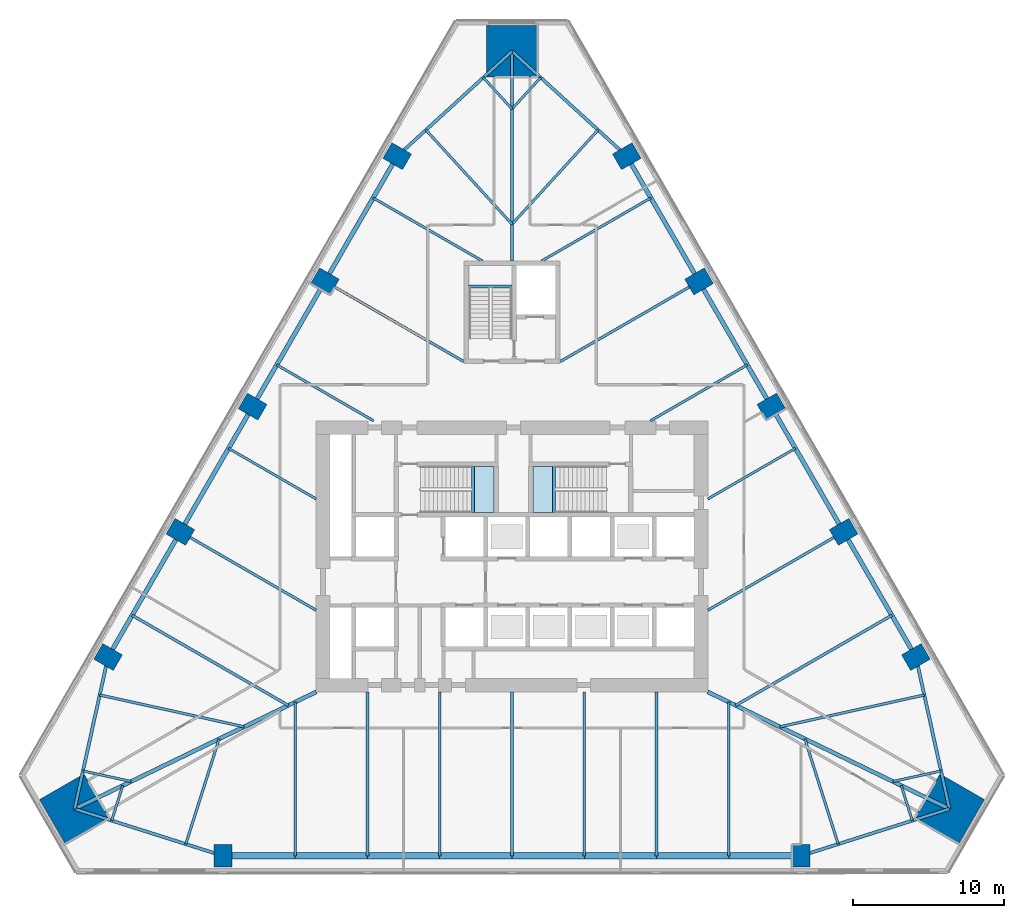
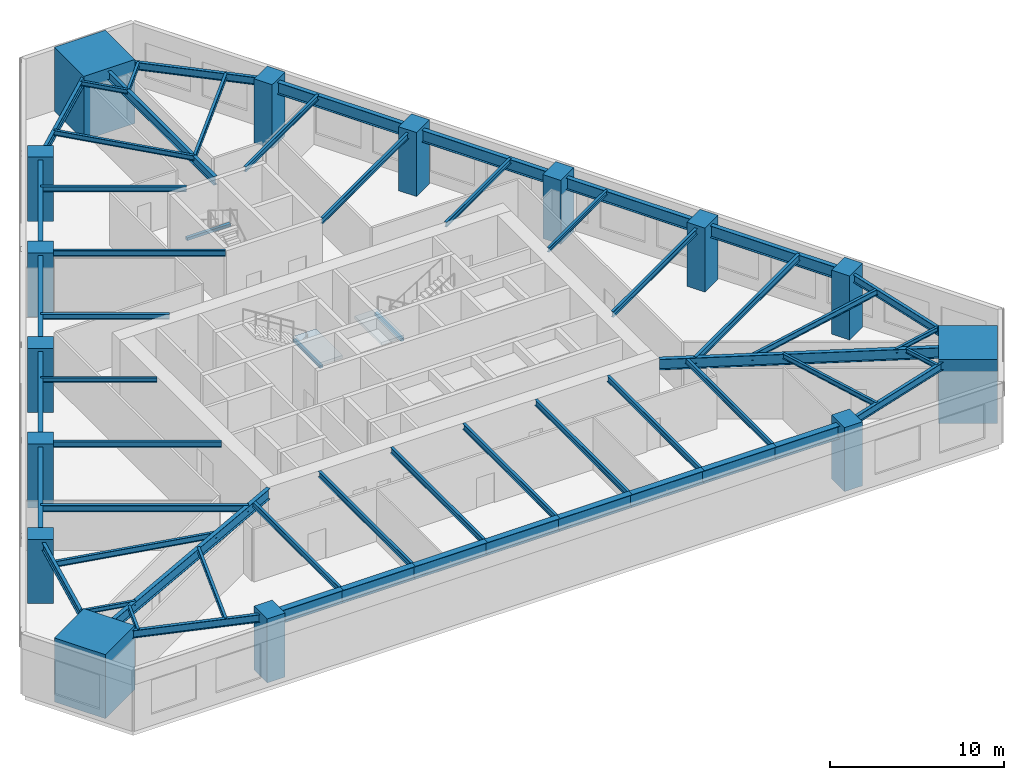
# One storey, part 1 of 14: 47 beams, 15 columns, 8 members, 2 slabs, 2 elements without a shape of their own.
"""IFC4 building model written with IfcOpenShell, lengths in metres."""

from ifc_helpers import new_model, si_unit, direction, frame, origin, origin_2d, place, context, subcontext, project, spatial, polyline, rectangle, i_section, outline, extrude, material, layer, layer_set, material_profile, profile_set, type_object, element, aggregate, save


model = new_model("IFC4")

# Units and contexts
model_context = context("Model", 3, precision=1e-05, world=origin(), true_north=direction((0.0, 1.0)))
body_context = subcontext(model_context, "Body", "Model", "MODEL_VIEW")
ifc_project = project(units=[si_unit("LENGTHUNIT", "METRE"), si_unit("AREAUNIT", "SQUARE_METRE"), si_unit("VOLUMEUNIT", "CUBIC_METRE"), si_unit("PLANEANGLEUNIT", "RADIAN"), si_unit("MASSUNIT", "GRAM", prefix="KILO")], contexts=[model_context])

# Site, building, storey
site_placement = place(None, origin())
site = spatial("IfcSite", under=ifc_project, at=site_placement, CompositionType="ELEMENT")
building_placement = place(site_placement, origin())
building = spatial("IfcBuilding", under=site, at=building_placement, Name="Firuza Gate Tower and Library", CompositionType="ELEMENT")
storey_placement = place(building_placement, frame((0.0, 0.0, 35.5)))
storey = spatial("IfcBuildingStorey", under=building, at=storey_placement, Name="L07", CompositionType="ELEMENT", Elevation=35.5)

# Columns
ifc_material_1 = material(Name="Concrete C80/95", Category="concrete")
ifc_material_profile_1 = material_profile(ifc_material_1, rectangle(XDim=3.39990234375, YDim=3.39990234375, at=origin_2d()))
ifc_profile_set_1 = profile_set([ifc_material_profile_1], Name="Concrete C80/95")
column_type_1 = type_object("IfcColumnType", Name="Mega column 3400x3400 C80/95", PredefinedType="COLUMN", material=ifc_profile_set_1)
for number, where, z_axis, x_axis, name in (
    (1, (104.041259765625, 58.233154296875, 0.0), (0.0, 0.0, 1.0), (0.5, 0.866025403784, 0.0), "Mega column SE L07"),
    (2, (75.0, 108.533935546875, 0.0), (0.0, 0.0, 1.0), (-1.0, 0.0, 0.0), "Mega column N L07"),
    (3, (45.958740234375, 58.233154296875, 0.0), (0.0, 0.0, 1.0), (0.5, -0.866025403784, 0.0), "Mega column SW L07"),
):
    element("IfcColumn", number, at=place(storey_placement, frame(where, z_axis=z_axis, x_axis=x_axis)), inside=storey, type_object=column_type_1, Name=name, PredefinedType="COLUMN", context=body_context, shape_type="SweptSolid", body=[
        extrude(rectangle(XDim=3.39990234375, YDim=3.39990234375, at=origin_2d()), origin(), (0.0, 0.0, 1.0), 4.5),
    ])
ifc_material_2 = material(Name="Concrete C60/75", Category="concrete")
ifc_material_profile_2 = material_profile(ifc_material_2, rectangle(XDim=1.199951171875, YDim=1.5, at=origin_2d()))
ifc_profile_set_2 = profile_set([ifc_material_profile_2], Name="Concrete C60/75")
column_type_2 = type_object("IfcColumnType", Name="Perimeter column 1200x1500 C60/75", PredefinedType="COLUMN", material=ifc_profile_set_2)
for number, where, z_axis, x_axis, name in (
    (4, (55.800048828125, 55.115478515625, -0.00048828125), (0.0, 0.0, 1.0), (1.0, 0.0, 0.0), "Column S1 L07"),
    (5, (94.199951171875, 55.115478515625, -0.00048828125), (0.0, 0.0, 1.0), (1.0, 0.0, 0.0), "Column S5 L07"),
    (6, (101.820556640625, 68.314697265625, -0.00048828125), (0.0, 0.0, 1.0), (-0.5, 0.866025403784, 0.0), "Column E1 L07"),
    (7, (97.0205078125, 76.62841796875, -0.00048828125), (0.0, 0.0, 1.0), (-0.5, 0.866025403784, 0.0), "Column E2 L07"),
    (8, (92.220458984375, 84.9423828125, -0.00048828125), (0.0, 0.0, 1.0), (-0.5, 0.866025403784, 0.0), "Column E3 L07"),
    (9, (87.420654296875, 93.256103515625, -0.00048828125), (0.0, 0.0, 1.0), (-0.5, 0.866025403784, 0.0), "Column E4 L07"),
    (10, (82.62060546875, 101.570068359375, -0.00048828125), (0.0, 0.0, 1.0), (-0.5, 0.866025403784, 0.0), "Column E5 L07"),
    (11, (67.37939453125, 101.570068359375, -0.00048828125), (0.0, 0.0, 1.0), (-0.5, -0.866025403784, 0.0), "Column W1 L07"),
    (12, (62.579345703125, 93.256103515625, -0.00048828125), (0.0, 0.0, 1.0), (-0.5, -0.866025403784, 0.0), "Column W2 L07"),
    (13, (57.779541015625, 84.9423828125, -0.00048828125), (0.0, 0.0, 1.0), (-0.5, -0.866025403784, 0.0), "Column W3 L07"),
    (14, (52.9794921875, 76.62841796875, -0.00048828125), (0.0, 0.0, 1.0), (-0.5, -0.866025403784, 0.0), "Column W4 L07"),
    (15, (48.179443359375, 68.314697265625, -0.00048828125), (0.0, 0.0, 1.0), (-0.5, -0.866025403784, 0.0), "Column W5 L07"),
):
    element("IfcColumn", number, at=place(storey_placement, frame(where, z_axis=z_axis, x_axis=x_axis)), inside=storey, type_object=column_type_2, Name=name, PredefinedType="COLUMN", context=body_context, shape_type="SweptSolid", body=[
        extrude(rectangle(XDim=1.199951171875, YDim=1.5, at=origin_2d()), origin(), (0.0, 0.0, 1.0), 4.50048828125),
    ])

# Beams
ifc_material_3 = material(Name="Concrete C35/45", Category="concrete")
ifc_material_profile_3 = material_profile(ifc_material_3, rectangle(XDim=0.199951171875, YDim=0.199951171875, at=origin_2d()))
ifc_profile_set_3 = profile_set([ifc_material_profile_3], Name="Concrete C35/45")
beam_type_1 = type_object("IfcBeamType", Name="Stair landing bearer 200x200", PredefinedType="BEAM", material=ifc_profile_set_3)
for number, where, z_axis, x_axis, name in (
    (16, (72.39990234375, 77.89990234375, 1.949951171875), (0.0, 1.0, 0.0), (-1.0, 0.0, 0.0), "Landing bearer L07 stair 1"),
    (17, (77.800048828125, 80.97998046875, 1.949951171875), (0.0, -1.0, 0.0), (1.0, 0.0, 0.0), "Landing bearer L07 stair 2"),
):
    element("IfcBeam", number, at=place(storey_placement, frame(where, z_axis=z_axis, x_axis=x_axis)), inside=storey, type_object=beam_type_1, Name=name, PredefinedType="BEAM", context=body_context, shape_type="SweptSolid", body=[
        extrude(rectangle(XDim=0.199951171875, YDim=0.199951171875, at=origin_2d()), origin(), (0.0, 0.0, 1.0), 3.080078125),
    ])
beam_1_placement = place(storey_placement, frame((75.0, 92.929931640625, 1.949951171875), z_axis=(-1.0, 0.0, 0.0), x_axis=(0.0, -1.0, 0.0)))
element("IfcBeam", 18, at=beam_1_placement, inside=storey, type_object=beam_type_1, Name="Landing bearer L07 stair 3", PredefinedType="BEAM", context=body_context, shape_type="SweptSolid", body=[
    extrude(rectangle(XDim=0.199951171875, YDim=0.199951171875, at=origin_2d()), origin(), (0.0, 0.0, 1.0), 2.89990234375),
])
ifc_material_4 = material(Name="Steel S355", Category="steel")
ifc_material_profile_4 = material_profile(ifc_material_4, i_section(OverallWidth=0.1650390625, OverallDepth=0.31005859375, WebThickness=0.005859375, FlangeThickness=0.009765625, at=origin_2d()))
ifc_profile_set_4 = profile_set([ifc_material_profile_4], Name="Steel S355")
beam_type_2 = type_object("IfcBeamType", Name="W310x39 Floor beam", PredefinedType="JOIST", material=ifc_profile_set_4)
beam_2_placement = place(storey_placement, frame((46.513916015625, 60.75341796875, 4.14501953125), z_axis=(0.976601243751, -0.215058156564, 0.0), x_axis=(0.215058156564, 0.976601243751, 0.0)))
element("IfcBeam", 19, at=beam_2_placement, inside=storey, type_object=beam_type_2, Name="Floor beam L07 s01", PredefinedType="JOIST", context=body_context, shape_type="SweptSolid", body=[
    extrude(i_section(OverallWidth=0.1650390625, OverallDepth=0.31005859375, WebThickness=0.005859375, FlangeThickness=0.009765625, at=origin_2d()), origin(), (0.0, 0.0, 1.0), 3.27294921875),
])
for number, where, z_axis, x_axis, name in (
    (20, (48.419189453125, 57.45361328125, 4.14501953125), (0.30197349393, 0.953316321566, 0.0), (-0.953316321566, 0.30197349393, 0.0), "Floor beam L07 s10"),
    (21, (101.580810546875, 57.45361328125, 4.14501953125), (-0.30197349393, 0.953316321566, 0.0), (-0.953316321566, -0.30197349393, 0.0), "Floor beam L07 s31"),
):
    element("IfcBeam", number, at=place(storey_placement, frame(where, z_axis=z_axis, x_axis=x_axis)), inside=storey, type_object=beam_type_2, Name=name, PredefinedType="JOIST", context=body_context, shape_type="SweptSolid", body=[
        extrude(i_section(OverallWidth=0.1650390625, OverallDepth=0.31005859375, WebThickness=0.005859375, FlangeThickness=0.009765625, at=origin_2d()), origin(), (0.0, 0.0, 1.0), 2.441650390625),
    ])
beam_3_placement = place(storey_placement, frame((103.486083984375, 60.75341796875, 4.14501953125), z_axis=(-0.976601243751, -0.215058156564, 0.0), x_axis=(0.215058156564, -0.976601243751, 0.0)))
element("IfcBeam", 22, at=beam_3_placement, inside=storey, type_object=beam_type_2, Name="Floor beam L07 s40", PredefinedType="JOIST", context=body_context, shape_type="SweptSolid", body=[
    extrude(i_section(OverallWidth=0.1650390625, OverallDepth=0.31005859375, WebThickness=0.005859375, FlangeThickness=0.009765625, at=origin_2d()), origin(), (0.0, 0.0, 1.0), 3.27294921875),
])
beam_4_placement = place(storey_placement, frame((93.820556640625, 82.171142578125, 4.14501953125), z_axis=(-0.866019234261, -0.500010685776, 0.0), x_axis=(0.500010685776, -0.866019234261, 0.0)))
element("IfcBeam", 23, at=beam_4_placement, inside=storey, type_object=beam_type_2, Name="Floor beam L07 s52", PredefinedType="JOIST", context=body_context, shape_type="SweptSolid", body=[
    extrude(i_section(OverallWidth=0.1650390625, OverallDepth=0.31005859375, WebThickness=0.005859375, FlangeThickness=0.009765625, at=origin_2d()), origin(), (0.0, 0.0, 1.0), 6.720947265625),
])
for number, where, z_axis, x_axis, name in (
    (24, (76.905029296875, 106.79296875, 4.14501953125), (-0.674533736892, -0.738244023203, 0.0), (0.738244023203, -0.674533736892, 0.0), "Floor beam L07 s61"),
    (25, (73.094970703125, 106.79296875, 4.14501953125), (0.674533736892, -0.738244023203, 0.0), (0.738244023203, 0.674533736892, 0.0), "Floor beam L07 s70"),
):
    element("IfcBeam", number, at=place(storey_placement, frame(where, z_axis=z_axis, x_axis=x_axis)), inside=storey, type_object=beam_type_2, Name=name, PredefinedType="JOIST", context=body_context, shape_type="SweptSolid", body=[
        extrude(i_section(OverallWidth=0.1650390625, OverallDepth=0.31005859375, WebThickness=0.005859375, FlangeThickness=0.009765625, at=origin_2d()), origin(), (0.0, 0.0, 1.0), 2.82421875),
    ])
beam_5_placement = place(storey_placement, frame((56.179443359375, 82.171142578125, 4.14501953125), z_axis=(0.866019234261, -0.500010685776, 0.0), x_axis=(0.500010685776, 0.866019234261, 0.0)))
element("IfcBeam", 26, at=beam_5_placement, inside=storey, type_object=beam_type_2, Name="Floor beam L07 s83", PredefinedType="JOIST", context=body_context, shape_type="SweptSolid", body=[
    extrude(i_section(OverallWidth=0.1650390625, OverallDepth=0.31005859375, WebThickness=0.005859375, FlangeThickness=0.009765625, at=origin_2d()), origin(), (0.0, 0.0, 1.0), 6.720947265625),
])
ifc_material_5 = material(Name="Steel S355", Category="steel")
ifc_material_profile_5 = material_profile(ifc_material_5, i_section(OverallWidth=0.1708984375, OverallDepth=0.35498046875, WebThickness=0.007080078125, FlangeThickness=0.01171875, at=origin_2d()))
ifc_profile_set_5 = profile_set([ifc_material_profile_5], Name="Steel S355")
beam_type_3 = type_object("IfcBeamType", Name="W360x51 Floor beam", PredefinedType="JOIST", material=ifc_profile_set_5)
for number, where, z_axis, x_axis, name in (
    (27, (53.339599609375, 55.894775390625, 4.12255859375), (0.302024477968, 0.953300170307, 0.0), (-0.953300170307, 0.302024477968, 0.0), "Floor beam L07 s11"),
    (28, (96.660400390625, 55.894775390625, 4.12255859375), (-0.302024477968, 0.953300170307, 0.0), (-0.953300170307, -0.302024477968, 0.0), "Floor beam L07 s30"),
):
    element("IfcBeam", number, at=place(storey_placement, frame(where, z_axis=z_axis, x_axis=x_axis)), inside=storey, type_object=beam_type_3, Name=name, PredefinedType="JOIST", context=body_context, shape_type="SweptSolid", body=[
        extrude(i_section(OverallWidth=0.1708984375, OverallDepth=0.35498046875, WebThickness=0.007080078125, FlangeThickness=0.01171875, at=origin_2d()), origin(), (0.0, 0.0, 1.0), 7.3251953125),
    ])
beam_6_placement = place(storey_placement, frame((90.62060546875, 87.713623046875, 4.12255859375), z_axis=(-0.866023556141, -0.500003200199, 0.0), x_axis=(0.500003200199, -0.866023556141, 0.0)))
element("IfcBeam", 29, at=beam_6_placement, inside=storey, type_object=beam_type_3, Name="Floor beam L07 s53", PredefinedType="JOIST", context=body_context, shape_type="SweptSolid", body=[
    extrude(i_section(OverallWidth=0.1708984375, OverallDepth=0.35498046875, WebThickness=0.007080078125, FlangeThickness=0.01171875, at=origin_2d()), origin(), (0.0, 0.0, 1.0), 7.42724609375),
])
beam_7_placement = place(storey_placement, frame((84.220458984375, 98.798828125, 4.12255859375), z_axis=(-0.866019517829, -0.500010194636, 0.0), x_axis=(0.500010194636, -0.866019517829, 0.0)))
element("IfcBeam", 30, at=beam_7_placement, inside=storey, type_object=beam_type_3, Name="Floor beam L07 s55", PredefinedType="JOIST", context=body_context, shape_type="SweptSolid", body=[
    extrude(i_section(OverallWidth=0.1708984375, OverallDepth=0.35498046875, WebThickness=0.007080078125, FlangeThickness=0.01171875, at=origin_2d()), origin(), (0.0, 0.0, 1.0), 8.397216796875),
])
for number, where, z_axis, x_axis, name in (
    (31, (80.71533203125, 103.31103515625, 4.12255859375), (-0.674578139258, -0.7382034503, 0.0), (0.7382034503, -0.674578139258, 0.0), "Floor beam L07 s60"),
    (32, (69.28466796875, 103.31103515625, 4.12255859375), (0.674578139258, -0.7382034503, 0.0), (0.7382034503, 0.674578139258, 0.0), "Floor beam L07 s71"),
):
    element("IfcBeam", number, at=place(storey_placement, frame(where, z_axis=z_axis, x_axis=x_axis)), inside=storey, type_object=beam_type_3, Name=name, PredefinedType="JOIST", context=body_context, shape_type="SweptSolid", body=[
        extrude(i_section(OverallWidth=0.1708984375, OverallDepth=0.35498046875, WebThickness=0.007080078125, FlangeThickness=0.01171875, at=origin_2d()), origin(), (0.0, 0.0, 1.0), 8.472412109375),
    ])
beam_8_placement = place(storey_placement, frame((65.779541015625, 98.798828125, 4.12255859375), z_axis=(0.866019517829, -0.500010194636, 0.0), x_axis=(0.500010194636, 0.866019517829, 0.0)))
element("IfcBeam", 33, at=beam_8_placement, inside=storey, type_object=beam_type_3, Name="Floor beam L07 s80", PredefinedType="JOIST", context=body_context, shape_type="SweptSolid", body=[
    extrude(i_section(OverallWidth=0.1708984375, OverallDepth=0.35498046875, WebThickness=0.007080078125, FlangeThickness=0.01171875, at=origin_2d()), origin(), (0.0, 0.0, 1.0), 8.397216796875),
])
beam_9_placement = place(storey_placement, frame((59.37939453125, 87.713623046875, 4.12255859375), z_axis=(0.866023556141, -0.500003200199, 0.0), x_axis=(0.500003200199, 0.866023556141, 0.0)))
element("IfcBeam", 34, at=beam_9_placement, inside=storey, type_object=beam_type_3, Name="Floor beam L07 s82", PredefinedType="JOIST", context=body_context, shape_type="SweptSolid", body=[
    extrude(i_section(OverallWidth=0.1708984375, OverallDepth=0.35498046875, WebThickness=0.007080078125, FlangeThickness=0.01171875, at=origin_2d()), origin(), (0.0, 0.0, 1.0), 7.42724609375),
])
ifc_material_6 = material(Name="Steel S355", Category="steel")
ifc_material_profile_6 = material_profile(ifc_material_6, i_section(OverallWidth=0.177978515625, OverallDepth=0.406982421875, WebThickness=0.0078125, FlangeThickness=0.0126953125, at=origin_2d()))
ifc_profile_set_6 = profile_set([ifc_material_profile_6], Name="Steel S355")
beam_type_4 = type_object("IfcBeamType", Name="W410x60 Floor beam", PredefinedType="JOIST", material=ifc_profile_set_6)
beam_10_placement = place(storey_placement, frame((47.624267578125, 65.794189453125, 4.096435546875), z_axis=(0.97658964753, -0.215110809441, 0.0), x_axis=(0.215110809441, 0.97658964753, 0.0)))
element("IfcBeam", 35, at=beam_10_placement, inside=storey, type_object=beam_type_4, Name="Floor beam L07 s00", PredefinedType="JOIST", context=body_context, shape_type="SweptSolid", body=[
    extrude(i_section(OverallWidth=0.177978515625, OverallDepth=0.406982421875, WebThickness=0.0078125, FlangeThickness=0.0126953125, at=origin_2d()), origin(), (0.0, 0.0, 1.0), 9.818359375),
])
beam_11_placement = place(storey_placement, frame((60.60009765625, 55.115478515625, 4.096435546875), z_axis=(0.0, 1.0, 0.0), x_axis=(-1.0, 0.0, 0.0)))
element("IfcBeam", 36, at=beam_11_placement, inside=storey, type_object=beam_type_4, Name="Floor beam L07 s20", PredefinedType="JOIST", context=body_context, shape_type="SweptSolid", body=[
    extrude(i_section(OverallWidth=0.177978515625, OverallDepth=0.406982421875, WebThickness=0.0078125, FlangeThickness=0.0126953125, at=origin_2d()), origin(), (0.0, 0.0, 1.0), 10.20654296875),
])
for number, where, z_axis, x_axis, name in (
    (37, (65.39990234375, 55.115478515625, 4.096435546875), (0.0, 1.0, 0.0), (-1.0, 0.0, 0.0), "Floor beam L07 s21"),
    (38, (70.199951171875, 55.115478515625, 4.096435546875), (0.0, 1.0, 0.0), (-1.0, 0.0, 0.0), "Floor beam L07 s22"),
    (39, (75.0, 55.115478515625, 4.096435546875), (0.0, 1.0, 0.0), (-1.0, 0.0, 0.0), "Floor beam L07 s23"),
    (40, (79.800048828125, 55.115478515625, 4.096435546875), (0.0, 1.0, 0.0), (-1.0, 0.0, 0.0), "Floor beam L07 s24"),
    (41, (84.60009765625, 55.115478515625, 4.096435546875), (0.0, 1.0, 0.0), (-1.0, 0.0, 0.0), "Floor beam L07 s25"),
):
    element("IfcBeam", number, at=place(storey_placement, frame(where, z_axis=z_axis, x_axis=x_axis)), inside=storey, type_object=beam_type_4, Name=name, PredefinedType="JOIST", context=body_context, shape_type="SweptSolid", body=[
        extrude(i_section(OverallWidth=0.177978515625, OverallDepth=0.406982421875, WebThickness=0.0078125, FlangeThickness=0.0126953125, at=origin_2d()), origin(), (0.0, 0.0, 1.0), 10.884521484375),
    ])
beam_12_placement = place(storey_placement, frame((89.39990234375, 55.115478515625, 4.096435546875), z_axis=(0.0, 1.0, 0.0), x_axis=(-1.0, 0.0, 0.0)))
element("IfcBeam", 42, at=beam_12_placement, inside=storey, type_object=beam_type_4, Name="Floor beam L07 s26", PredefinedType="JOIST", context=body_context, shape_type="SweptSolid", body=[
    extrude(i_section(OverallWidth=0.177978515625, OverallDepth=0.406982421875, WebThickness=0.0078125, FlangeThickness=0.0126953125, at=origin_2d()), origin(), (0.0, 0.0, 1.0), 10.20654296875),
])
beam_13_placement = place(storey_placement, frame((102.375732421875, 65.794189453125, 4.096435546875), z_axis=(-0.97658964753, -0.215110809441, 0.0), x_axis=(0.215110809441, -0.97658964753, 0.0)))
element("IfcBeam", 43, at=beam_13_placement, inside=storey, type_object=beam_type_4, Name="Floor beam L07 s41", PredefinedType="JOIST", context=body_context, shape_type="SweptSolid", body=[
    extrude(i_section(OverallWidth=0.177978515625, OverallDepth=0.406982421875, WebThickness=0.0078125, FlangeThickness=0.0126953125, at=origin_2d()), origin(), (0.0, 0.0, 1.0), 9.818359375),
])
beam_14_placement = place(storey_placement, frame((97.0205078125, 76.62841796875, 4.096435546875), z_axis=(-0.866024771944, -0.500001094379, 0.0), x_axis=(0.500001094379, -0.866024771944, 0.0)))
element("IfcBeam", 44, at=beam_14_placement, inside=storey, type_object=beam_type_4, Name="Floor beam L07 s51", PredefinedType="JOIST", context=body_context, shape_type="SweptSolid", body=[
    extrude(i_section(OverallWidth=0.177978515625, OverallDepth=0.406982421875, WebThickness=0.0078125, FlangeThickness=0.0126953125, at=origin_2d()), origin(), (0.0, 0.0, 1.0), 10.416015625),
])
for number, where, z_axis, x_axis, name in (
    (45, (87.420654296875, 93.256103515625, 4.096435546875), (-0.866029027547, -0.499993723407, 0.0), (0.499993723407, -0.866029027547, 0.0), "Floor beam L07 s54"),
    (46, (62.579345703125, 93.256103515625, 4.096435546875), (0.866029027547, -0.499993723407, 0.0), (0.499993723407, 0.866029027547, 0.0), "Floor beam L07 s81"),
):
    element("IfcBeam", number, at=place(storey_placement, frame(where, z_axis=z_axis, x_axis=x_axis)), inside=storey, type_object=beam_type_4, Name=name, PredefinedType="JOIST", context=body_context, shape_type="SweptSolid", body=[
        extrude(i_section(OverallWidth=0.177978515625, OverallDepth=0.406982421875, WebThickness=0.0078125, FlangeThickness=0.0126953125, at=origin_2d()), origin(), (0.0, 0.0, 1.0), 10.647216796875),
    ])
beam_15_placement = place(storey_placement, frame((52.9794921875, 76.62841796875, 4.096435546875), z_axis=(0.866024771944, -0.500001094379, 0.0), x_axis=(0.500001094379, 0.866024771944, 0.0)))
element("IfcBeam", 47, at=beam_15_placement, inside=storey, type_object=beam_type_4, Name="Floor beam L07 s84", PredefinedType="JOIST", context=body_context, shape_type="SweptSolid", body=[
    extrude(i_section(OverallWidth=0.177978515625, OverallDepth=0.406982421875, WebThickness=0.0078125, FlangeThickness=0.0126953125, at=origin_2d()), origin(), (0.0, 0.0, 1.0), 10.416015625),
])
ifc_material_7 = material(Name="Steel S355", Category="steel")
ifc_material_profile_7 = material_profile(ifc_material_7, i_section(OverallWidth=0.18994140625, OverallDepth=0.45703125, WebThickness=0.009033203125, FlangeThickness=0.014404296875, at=origin_2d()))
ifc_profile_set_7 = profile_set([ifc_material_profile_7], Name="Steel S355")
beam_type_5 = type_object("IfcBeamType", Name="W460x74 Floor beam", PredefinedType="JOIST", material=ifc_profile_set_7)
for number, where, z_axis, x_axis, name in (
    (48, (100.220458984375, 71.0859375, 4.071533203125), (-0.866020154196, -0.500009092443, 0.0), (0.500009092443, -0.866020154196, 0.0), "Floor beam L07 s50"),
    (49, (49.779541015625, 71.0859375, 4.071533203125), (0.866020154196, -0.500009092443, 0.0), (0.500009092443, 0.866020154196, 0.0), "Floor beam L07 s85"),
):
    element("IfcBeam", number, at=place(storey_placement, frame(where, z_axis=z_axis, x_axis=x_axis)), inside=storey, type_object=beam_type_5, Name=name, PredefinedType="JOIST", context=body_context, shape_type="SweptSolid", body=[
        extrude(i_section(OverallWidth=0.18994140625, OverallDepth=0.45703125, WebThickness=0.009033203125, FlangeThickness=0.014404296875, at=origin_2d()), origin(), (0.0, 0.0, 1.0), 11.968505859375),
    ])
ifc_material_8 = material(Name="Steel S355", Category="steel")
ifc_material_profile_8 = material_profile(ifc_material_8, i_section(OverallWidth=0.212890625, OverallDepth=0.5390625, WebThickness=0.01171875, FlangeThickness=0.018798828125, at=origin_2d()))
ifc_profile_set_8 = profile_set([ifc_material_profile_8], Name="Steel S355")
beam_type_6 = type_object("IfcBeamType", Name="W530x109 Edge beam", PredefinedType="SPANDREL", material=ifc_profile_set_8)
for number, where, z_axis, x_axis, name in (
    (50, (48.179443359375, 68.314697265625, 4.030517578125), (-0.215117130091, -0.976588255275, 0.0), (0.976588255275, -0.215117130091, 0.0), "Edge beam L07 e00"),
    (51, (45.958740234375, 58.233154296875, 4.030517578125), (0.953307052276, -0.302002755087, 0.0), (0.302002755087, 0.953307052276, 0.0), "Edge beam L07 e10"),
    (52, (94.199951171875, 55.115478515625, 4.030517578125), (0.953307052276, 0.302002755087, 0.0), (-0.302002755087, 0.953307052276, 0.0), "Edge beam L07 e30"),
    (53, (104.041259765625, 58.233154296875, 4.030517578125), (-0.215117130091, 0.976588255275, 0.0), (-0.976588255275, -0.215117130091, 0.0), "Edge beam L07 e40"),
    (54, (82.62060546875, 101.570068359375, 4.030517578125), (-0.738199730284, 0.674582210118, 0.0), (-0.674582210118, -0.738199730284, 0.0), "Edge beam L07 e60"),
    (55, (75.0, 108.533935546875, 4.030517578125), (-0.738199730284, -0.674582210118, 0.0), (0.674582210118, -0.738199730284, 0.0), "Edge beam L07 e70"),
):
    element("IfcBeam", number, at=place(storey_placement, frame(where, z_axis=z_axis, x_axis=x_axis)), inside=storey, type_object=beam_type_6, Name=name, PredefinedType="SPANDREL", context=body_context, shape_type="SweptSolid", body=[
        extrude(i_section(OverallWidth=0.212890625, OverallDepth=0.5390625, WebThickness=0.01171875, FlangeThickness=0.018798828125, at=origin_2d()), origin(), (0.0, 0.0, 1.0), 10.3232421875),
    ])
ifc_material_9 = material(Name="Steel S355", Category="steel")
ifc_material_profile_9 = material_profile(ifc_material_9, i_section(OverallWidth=0.22802734375, OverallDepth=0.60302734375, WebThickness=0.010498046875, FlangeThickness=0.014892578125, at=origin_2d()))
ifc_profile_set_9 = profile_set([ifc_material_profile_9], Name="Steel S355")
beam_type_7 = type_object("IfcBeamType", Name="W610x101 Girder", PredefinedType="BEAM", material=ifc_profile_set_9)
beam_16_placement = place(storey_placement, frame((75.0, 108.533935546875, 3.99853515625), z_axis=(0.0, -1.0, 0.0), x_axis=(1.0, 0.0, 0.0)))
element("IfcBeam", 56, at=beam_16_placement, inside=storey, type_object=beam_type_7, Name="Girder L07 gN", PredefinedType="BEAM", context=body_context, shape_type="SweptSolid", body=[
    extrude(i_section(OverallWidth=0.22802734375, OverallDepth=0.60302734375, WebThickness=0.010498046875, FlangeThickness=0.014892578125, at=origin_2d()), origin(), (0.0, 0.0, 1.0), 13.933837890625),
])
ifc_material_10 = material(Name="Steel S355", Category="steel")
ifc_material_profile_10 = material_profile(ifc_material_10, i_section(OverallWidth=0.264892578125, OverallDepth=0.7529296875, WebThickness=0.01318359375, FlangeThickness=0.01708984375, at=origin_2d()))
ifc_profile_set_10 = profile_set([ifc_material_profile_10], Name="Steel S355")
beam_type_8 = type_object("IfcBeamType", Name="W760x147 Girder", PredefinedType="BEAM", material=ifc_profile_set_10)
for number, where, z_axis, x_axis, name in (
    (57, (45.958740234375, 58.233154296875, 3.923583984375), (0.900050421894, 0.43578577082, 0.0), (-0.43578577082, 0.900050421894, 0.0), "Girder L07 gSW"),
    (58, (104.041259765625, 58.233154296875, 3.923583984375), (-0.900050421894, 0.43578577082, 0.0), (-0.43578577082, -0.900050421894, 0.0), "Girder L07 gSE"),
):
    element("IfcBeam", number, at=place(storey_placement, frame(where, z_axis=z_axis, x_axis=x_axis)), inside=storey, type_object=beam_type_8, Name=name, PredefinedType="BEAM", context=body_context, shape_type="SweptSolid", body=[
        extrude(i_section(OverallWidth=0.264892578125, OverallDepth=0.7529296875, WebThickness=0.01318359375, FlangeThickness=0.01708984375, at=origin_2d()), origin(), (0.0, 0.0, 1.0), 17.822509765625),
    ])
ifc_material_11 = material(Name="Steel S355", Category="steel")
ifc_material_profile_11 = material_profile(ifc_material_11, i_section(OverallWidth=0.2919921875, OverallDepth=0.8349609375, WebThickness=0.013916015625, FlangeThickness=0.018798828125, at=origin_2d()))
ifc_profile_set_11 = profile_set([ifc_material_profile_11], Name="Steel S355")
beam_type_9 = type_object("IfcBeamType", Name="W840x176 Edge beam", PredefinedType="SPANDREL", material=ifc_profile_set_11)
for number, where, z_axis, x_axis, name in (
    (59, (101.820556640625, 68.314697265625, 3.882568359375), (-0.500003864429, 0.866023172644, 0.0), (-0.866023172644, -0.500003864429, 0.0), "Edge beam L07 e50"),
    (60, (92.220458984375, 84.9423828125, 3.882568359375), (-0.499994327668, 0.866028678682, 0.0), (-0.866028678682, -0.499994327668, 0.0), "Edge beam L07 e52"),
    (61, (67.37939453125, 101.570068359375, 3.882568359375), (-0.499994327668, -0.866028678682, 0.0), (0.866028678682, -0.499994327668, 0.0), "Edge beam L07 e80"),
    (62, (57.779541015625, 84.9423828125, 3.882568359375), (-0.500003864429, -0.866023172644, 0.0), (0.866023172644, -0.500003864429, 0.0), "Edge beam L07 e82"),
):
    element("IfcBeam", number, at=place(storey_placement, frame(where, z_axis=z_axis, x_axis=x_axis)), inside=storey, type_object=beam_type_9, Name=name, PredefinedType="SPANDREL", context=body_context, shape_type="SweptSolid", body=[
        extrude(i_section(OverallWidth=0.2919921875, OverallDepth=0.8349609375, WebThickness=0.013916015625, FlangeThickness=0.018798828125, at=origin_2d()), origin(), (0.0, 0.0, 1.0), 19.199951171875),
    ])

# Members
ifc_material_12 = material(Name="Steel S355", Category="steel")
ifc_material_profile_12 = material_profile(ifc_material_12, i_section(OverallWidth=0.41796875, OverallDepth=0.912109375, WebThickness=0.019287109375, FlangeThickness=0.031982421875, at=origin_2d()))
ifc_profile_set_12 = profile_set([ifc_material_profile_12], Name="Steel S355")
member_type = type_object("IfcMemberType", Name="W920x342 Transfer truss chord", PredefinedType="CHORD", material=ifc_profile_set_12)
member_1_placement = place(storey_placement, frame((55.800048828125, 55.115478515625, 3.843994140625), z_axis=(1.0, 0.0, 0.0), x_axis=(0.0, 1.0, 0.0)))
element("IfcMember", 63, at=member_1_placement, inside=storey, type_object=member_type, Name="Transfer truss top chord 1", PredefinedType="CHORD", context=body_context, shape_type="SweptSolid", body=[
    extrude(i_section(OverallWidth=0.41796875, OverallDepth=0.912109375, WebThickness=0.019287109375, FlangeThickness=0.031982421875, at=origin_2d()), origin(), (0.0, 0.0, 1.0), 4.800048828125),
])
member_2_placement = place(storey_placement, frame((60.60009765625, 55.115478515625, 3.843994140625), z_axis=(1.0, 0.0, 0.0), x_axis=(0.0, 1.0, 0.0)))
element("IfcMember", 64, at=member_2_placement, inside=storey, type_object=member_type, Name="Transfer truss top chord 2", PredefinedType="CHORD", context=body_context, shape_type="SweptSolid", body=[
    extrude(i_section(OverallWidth=0.41796875, OverallDepth=0.912109375, WebThickness=0.019287109375, FlangeThickness=0.031982421875, at=origin_2d()), origin(), (0.0, 0.0, 1.0), 4.7998046875),
])
for number, where, z_axis, x_axis, name in (
    (65, (65.39990234375, 55.115478515625, 3.843994140625), (1.0, 0.0, 0.0), (0.0, 1.0, 0.0), "Transfer truss top chord 3"),
    (66, (70.199951171875, 55.115478515625, 3.843994140625), (1.0, 0.0, 0.0), (0.0, 1.0, 0.0), "Transfer truss top chord 4"),
    (67, (75.0, 55.115478515625, 3.843994140625), (1.0, 0.0, 0.0), (0.0, 1.0, 0.0), "Transfer truss top chord 5"),
    (68, (79.800048828125, 55.115478515625, 3.843994140625), (1.0, 0.0, 0.0), (0.0, 1.0, 0.0), "Transfer truss top chord 6"),
):
    element("IfcMember", number, at=place(storey_placement, frame(where, z_axis=z_axis, x_axis=x_axis)), inside=storey, type_object=member_type, Name=name, PredefinedType="CHORD", context=body_context, shape_type="SweptSolid", body=[
        extrude(i_section(OverallWidth=0.41796875, OverallDepth=0.912109375, WebThickness=0.019287109375, FlangeThickness=0.031982421875, at=origin_2d()), origin(), (0.0, 0.0, 1.0), 4.800048828125),
    ])
member_3_placement = place(storey_placement, frame((84.60009765625, 55.115478515625, 3.843994140625), z_axis=(1.0, 0.0, 0.0), x_axis=(0.0, 1.0, 0.0)))
element("IfcMember", 69, at=member_3_placement, inside=storey, type_object=member_type, Name="Transfer truss top chord 7", PredefinedType="CHORD", context=body_context, shape_type="SweptSolid", body=[
    extrude(i_section(OverallWidth=0.41796875, OverallDepth=0.912109375, WebThickness=0.019287109375, FlangeThickness=0.031982421875, at=origin_2d()), origin(), (0.0, 0.0, 1.0), 4.7998046875),
])
member_4_placement = place(storey_placement, frame((89.39990234375, 55.115478515625, 3.843994140625), z_axis=(1.0, 0.0, 0.0), x_axis=(0.0, 1.0, 0.0)))
element("IfcMember", 70, at=member_4_placement, inside=storey, type_object=member_type, Name="Transfer truss top chord 8", PredefinedType="CHORD", context=body_context, shape_type="SweptSolid", body=[
    extrude(i_section(OverallWidth=0.41796875, OverallDepth=0.912109375, WebThickness=0.019287109375, FlangeThickness=0.031982421875, at=origin_2d()), origin(), (0.0, 0.0, 1.0), 4.800048828125),
])

# Stair, slab
ifc_material_13 = material(Name="Concrete C35/45", Category="concrete")
stair_type = type_object("IfcStairType", Name="Exit stair ST1", PredefinedType="HALF_TURN_STAIR", material=ifc_material_13)
placement_1 = place(storey_placement, origin())
stair_1 = element("IfcStair", 71, at=placement_1, inside=storey, type_object=stair_type, Name="L07 Stair ST1", PredefinedType="HALF_TURN_STAIR")
ifc_material_14 = material(Name="Concrete C35/45", Category="concrete")
ifc_layer = layer(ifc_material_14, 0.199951171875)
ifc_layer_set = layer_set([ifc_layer], Name="Stair landing 200")
slab_type = type_object("IfcSlabType", Name="Stair landing 200", PredefinedType="LANDING", material=ifc_layer_set)
placement_2 = place(storey_placement, frame((0.0, 0.0, 2.050048828125)))
slab_1 = element("IfcSlab", 72, at=placement_2, type_object=slab_type, Name="ST1 landing 1", PredefinedType="LANDING", context=body_context, shape_type="SweptSolid", body=[
    extrude(outline(polyline([(72.300048828125, 77.89990234375), (73.81005859375, 77.89990234375), (73.81005859375, 80.97998046875), (72.300048828125, 80.97998046875), (72.300048828125, 77.89990234375)])), origin(), (0.0, 0.0, 1.0), 0.199951171875),
])
aggregate(stair_1, [slab_1])

stair_2 = element("IfcStair", 73, at=placement_1, inside=storey, type_object=stair_type, Name="L07 Stair ST2", PredefinedType="HALF_TURN_STAIR")
slab_2 = element("IfcSlab", 74, at=placement_2, type_object=slab_type, Name="ST2 landing 1", PredefinedType="LANDING", context=body_context, shape_type="SweptSolid", body=[
    extrude(outline(polyline([(77.89990234375, 80.97998046875), (76.389892578125, 80.97998046875), (76.389892578125, 77.89990234375), (77.89990234375, 77.89990234375), (77.89990234375, 80.97998046875)])), origin(), (0.0, 0.0, 1.0), 0.199951171875),
])
aggregate(stair_2, [slab_2])

save(model, "model.ifc")
